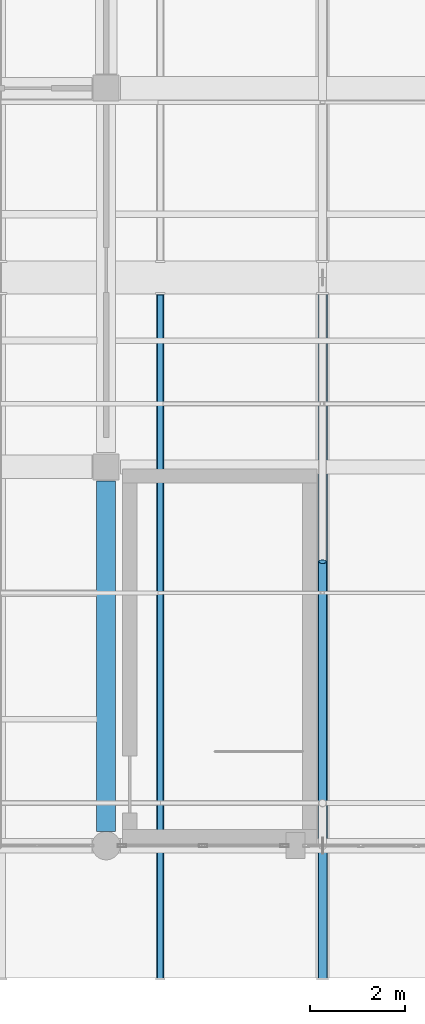
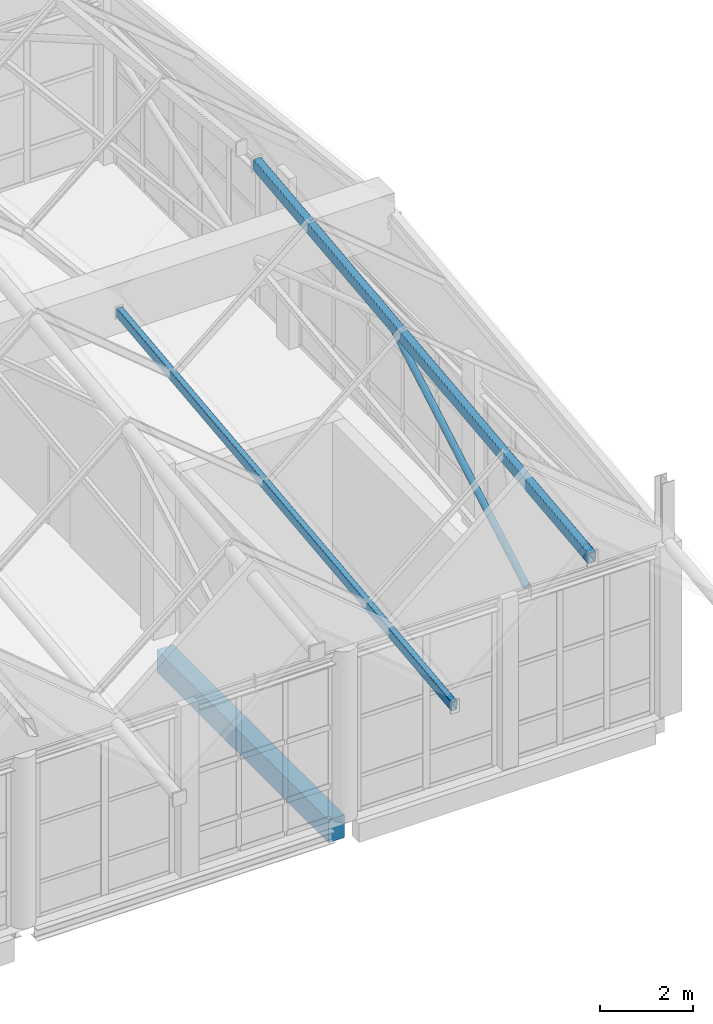
# One storey, part 84 of 183: 3 beams, 1 member.
"""IFC4 building model written with IfcOpenShell, lengths in metres."""

from ifc_helpers import new_model, si_unit, direction, frame, origin, origin_2d, place, context, subcontext, project, spatial, rectangle, hollow_rectangle, hollow_circle, extrude, material, material_profile, profile_set, type_object, element, save


model = new_model("IFC4")

# Units and contexts
model_context = context("Model", 3, precision=1e-05, world=origin(), true_north=direction((0.0, 1.0)))
body_context = subcontext(model_context, "Body", "Model", "MODEL_VIEW")
ifc_project = project(units=[si_unit("LENGTHUNIT", "METRE"), si_unit("AREAUNIT", "SQUARE_METRE"), si_unit("VOLUMEUNIT", "CUBIC_METRE"), si_unit("PLANEANGLEUNIT", "RADIAN"), si_unit("MASSUNIT", "GRAM", prefix="KILO")], contexts=[model_context])

# Site, building, storey
site_placement = place(None, origin())
site = spatial("IfcSite", under=ifc_project, at=site_placement, CompositionType="ELEMENT")
building_placement = place(site_placement, origin())
building = spatial("IfcBuilding", under=site, at=building_placement, Name="Luwemba Playhouse", CompositionType="ELEMENT")
storey_placement = place(building_placement, frame((0.0, 0.0, 4.800048828125)))
storey = spatial("IfcBuildingStorey", under=building, at=storey_placement, Name="L01", CompositionType="ELEMENT", Elevation=4.800048828125)

# Beams
ifc_material_1 = material(Name="Concrete C40/50", Category="concrete")
ifc_material_profile_1 = material_profile(ifc_material_1, rectangle(XDim=0.39990234375, YDim=0.60009765625, at=origin_2d()))
ifc_profile_set_1 = profile_set([ifc_material_profile_1], Name="Concrete C40/50")
beam_type_1 = type_object("IfcBeamType", Name="BM-RB01", PredefinedType="BEAM", material=ifc_profile_set_1)
beam_1_placement = place(storey_placement, frame((164.0, 3.300048828125, -0.550048828125), z_axis=(0.0, 1.0, 0.0), x_axis=(-1.0, 0.0, 0.0)))
element("IfcBeam", 1, at=beam_1_placement, inside=storey, type_object=beam_type_1, Name="L01 transverse girder 0558", PredefinedType="BEAM", context=body_context, shape_type="SweptSolid", body=[
    extrude(rectangle(XDim=0.39990234375, YDim=0.60009765625, at=origin_2d()), origin(), (0.0, 0.0, 1.0), 7.39990234375),
])
ifc_material_2 = material(Name="Steel S355", Category="steel")
ifc_material_profile_2 = material_profile(ifc_material_2, hollow_rectangle(XDim=0.14990234375, YDim=0.25, WallThickness=0.010009765625, InnerFilletRadius=0.014892578125, OuterFilletRadius=0.02490234375, at=origin_2d()))
ifc_profile_set_2 = profile_set([ifc_material_profile_2], Name="Steel S355")
beam_type_2 = type_object("IfcBeamType", Name="BM-RTG1", PredefinedType="USERDEFINED", material=ifc_profile_set_2)
beam_2_placement = place(storey_placement, frame((165.142822265625, 0.199951171875, 4.166259765625), z_axis=(0.0, 0.993786292845, 0.111305005073), x_axis=(-1.0, 0.0, 0.0)))
element("IfcBeam", 2, at=beam_2_placement, inside=storey, type_object=beam_type_2, Name="ROOF TRUSS valley girder 0336", ObjectType="ROOF TRUSS", PredefinedType="USERDEFINED", context=body_context, shape_type="SweptSolid", body=[
    extrude(hollow_rectangle(XDim=0.14990234375, YDim=0.25, WallThickness=0.010009765625, InnerFilletRadius=0.014892578125, OuterFilletRadius=0.02490234375, at=origin_2d()), origin(), (0.0, 0.0, 1.0), 14.540283203125),
])
ifc_material_profile_3 = material_profile(ifc_material_2, hollow_rectangle(XDim=0.199951171875, YDim=0.300048828125, WallThickness=0.012451171875, InnerFilletRadius=0.018798828125, OuterFilletRadius=0.03125, at=origin_2d()))
ifc_profile_set_3 = profile_set([ifc_material_profile_3], Name="Steel S355")
beam_type_3 = type_object("IfcBeamType", Name="BM-RTG2", PredefinedType="USERDEFINED", material=ifc_profile_set_3)
beam_3_placement = place(storey_placement, frame((168.5712890625, 0.199951171875, 6.87060546875), z_axis=(0.0, 0.993786292845, 0.111305005073), x_axis=(-1.0, 0.0, 0.0)))
element("IfcBeam", 3, at=beam_3_placement, inside=storey, type_object=beam_type_3, Name="ROOF TRUSS ridge girder 0338", ObjectType="ROOF TRUSS", PredefinedType="USERDEFINED", context=body_context, shape_type="SweptSolid", body=[
    extrude(hollow_rectangle(XDim=0.199951171875, YDim=0.300048828125, WallThickness=0.012451171875, InnerFilletRadius=0.018798828125, OuterFilletRadius=0.03125, at=origin_2d()), origin(), (0.0, 0.0, 1.0), 14.540283203125),
])

# Member
ifc_material_profile_4 = material_profile(ifc_material_2, hollow_circle(Radius=0.084228515625, WallThickness=0.008056640625, at=origin_2d()))
ifc_profile_set_4 = profile_set([ifc_material_profile_4], Name="Steel S355")
member_type = type_object("IfcMemberType", Name="MEM-MB02", PredefinedType="BRACE", material=ifc_profile_set_4)
member_placement = place(storey_placement, frame((168.5712890625, 3.0, 4.39990234375), z_axis=(0.0, 0.866512940122, 0.499154609917), x_axis=(-1.0, 0.0, 0.0)))
element("IfcMember", 4, at=member_placement, inside=storey, type_object=member_type, Name="ROOF TRUSS web diagonal 0303", PredefinedType="BRACE", context=body_context, shape_type="SweptSolid", body=[
    extrude(hollow_circle(Radius=0.084228515625, WallThickness=0.008056640625, at=origin_2d()), origin(), (0.0, 0.0, 1.0), 6.92431640625),
])

save(model, "model.ifc")
